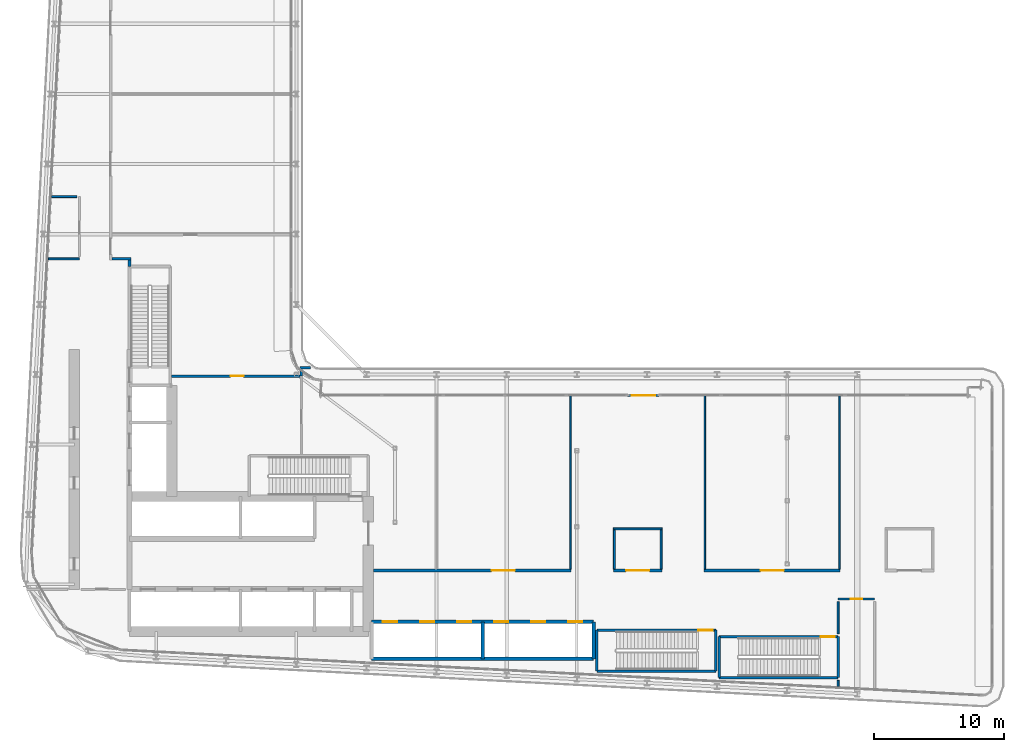
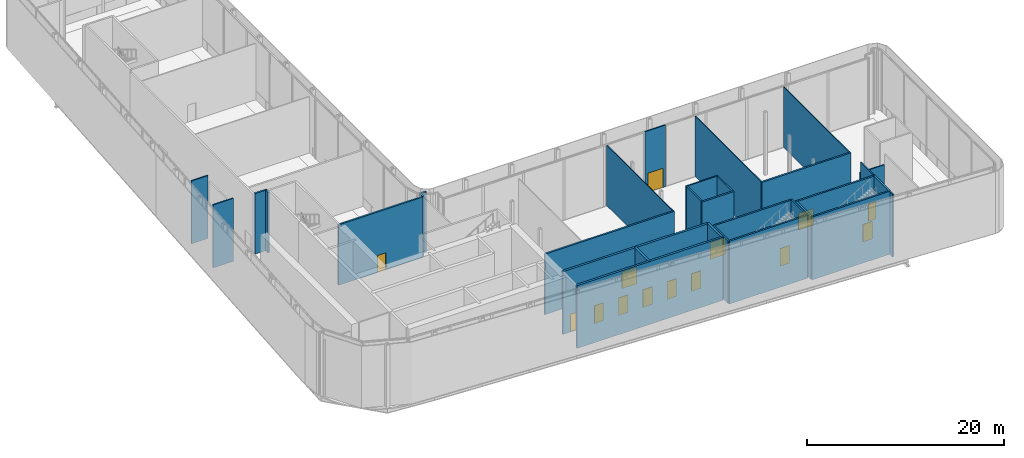
# One storey, part 27 of 37: 32 walls, 14 doors, 14 openings.
"""IFC4 building model written with IfcOpenShell, lengths in metres."""

from ifc_helpers import new_model, si_unit, direction, frame, frame_2d, origin, place, context, subcontext, project, spatial, rectangle, extrude, source, transform, mapped, material, layer, layer_set, type_object, element, fill, save


model = new_model("IFC4")

# Units and contexts
model_context = context("Model", 3, precision=1e-05, world=origin(), true_north=direction((0.0, 1.0)))
body_context = subcontext(model_context, "Body", "Model", "MODEL_VIEW")
ifc_project = project(units=[si_unit("LENGTHUNIT", "METRE"), si_unit("AREAUNIT", "SQUARE_METRE"), si_unit("VOLUMEUNIT", "CUBIC_METRE"), si_unit("PLANEANGLEUNIT", "RADIAN"), si_unit("MASSUNIT", "GRAM", prefix="KILO")], contexts=[model_context])

# Site, building, storey
site_placement = place(None, origin())
site = spatial("IfcSite", under=ifc_project, at=site_placement, CompositionType="ELEMENT")
building_placement = place(site_placement, origin())
building = spatial("IfcBuilding", under=site, at=building_placement, Name="Kheshtan School and Residences Tower", CompositionType="ELEMENT")
storey_placement = place(building_placement, frame((0.0, 0.0, 144.800048828125)))
storey = spatial("IfcBuildingStorey", under=building, at=storey_placement, Name="L34", CompositionType="ELEMENT", Elevation=144.800048828125)

# Walls
ifc_material_1 = material(Name="Gypsum board on steel studs with fire boards", Category="steel")
ifc_layer_1 = layer(ifc_material_1, 0.199951171875)
ifc_layer_set_1 = layer_set([ifc_layer_1], Name="Corridor wall 200")
wall_type_1 = type_object("IfcWallType", Name="Corridor wall 200", PredefinedType="PARTITIONING", material=ifc_layer_set_1)
wall_1_placement = place(storey_placement, frame((33.39990234375, 54.5, 0.0), z_axis=(0.0, 0.0, 1.0), x_axis=(1.0, 0.0, 0.0)))
element("IfcWall", 1, at=wall_1_placement, inside=storey, type_object=wall_type_1, Name="Partition L34-006", PredefinedType="PARTITIONING", context=body_context, shape_type="SweptSolid", body=[
    extrude(rectangle(XDim=1.4501953125, YDim=0.199951171875, at=frame_2d((0.72509765625, 0.0))), origin(), (0.0, 0.0, 1.0), 7.5),
])
wall_2_placement = place(storey_placement, frame((34.75, 53.909912109375, 0.0), z_axis=(0.0, 0.0, 1.0), x_axis=(0.0, 1.0, 0.0)))
element("IfcWall", 2, at=wall_2_placement, inside=storey, type_object=wall_type_1, Name="Partition L34-012", PredefinedType="PARTITIONING", context=body_context, shape_type="SweptSolid", body=[
    extrude(rectangle(XDim=0.489990234375, YDim=0.199951171875, at=frame_2d((0.2451171875, 0.0))), origin(), (0.0, 0.0, 1.0), 7.5),
])

# Wall, opening, door
wall_3_placement = place(storey_placement, frame((37.9990234375, 45.472900390625, 0.0), z_axis=(0.0, 0.0, 1.0), x_axis=(1.0, 0.0, 0.0)))
wall_3 = element("IfcWall", 3, at=wall_3_placement, inside=storey, type_object=wall_type_1, Name="Partition L34-013", PredefinedType="PARTITIONING", context=body_context, shape_type="SweptSolid", body=[
    extrude(rectangle(XDim=9.890869140625, YDim=0.199951171875, at=frame_2d((4.9453125, 0.0))), origin(), (0.0, 0.0, 1.0), 7.5),
])
opening_1_placement = place(wall_3_placement, frame((4.551025390625, 0.0, 0.0)))
opening_1 = element("IfcOpeningElement", 4, at=opening_1_placement, cuts=wall_3, Name="Opening D34-008", PredefinedType="OPENING", context=body_context, shape_type="SweptSolid", body=[
    extrude(rectangle(XDim=1.0, YDim=2.10009765625, at=frame_2d((0.5, 1.050048828125))), frame((0.0, 0.10986328125, 0.0), z_axis=(0.0, -1.0, 0.0), x_axis=(1.0, 0.0, 0.0)), (0.0, 0.0, 1.0), 0.219970703125),
])
ifc_material_2 = material(Name="Steel-framed fire-resisting door leaf", Category="steel")
door_type_1 = type_object("IfcDoorType", Name="Fire door FD60 1000 x 2100", OperationType="SINGLE_SWING_LEFT", PredefinedType="DOOR", material=ifc_material_2)
shared_shape_1 = source(origin(), body_context, "Body", "SweptSolid", [
    extrude(rectangle(XDim=1.0, YDim=2.10009765625, at=frame_2d((0.5, 1.050048828125))), frame((0.0, 0.02490234375, 0.0), z_axis=(0.0, -1.0, 0.0), x_axis=(1.0, 0.0, 0.0)), (0.0, 0.0, 1.0), 0.050048828125),
])
door_1_placement = place(opening_1_placement, origin())
door_1 = element("IfcDoor", 5, at=door_1_placement, inside=storey, type_object=door_type_1, Name="Door D34-008", OperationType="SINGLE_SWING_RIGHT", OverallHeight=2.10009765625, OverallWidth=1.0, PredefinedType="DOOR", context=body_context, shape_type="MappedRepresentation", body=[
    mapped(shared_shape_1, transform((0.0, 0.0, 0.0), x_axis=(1.0, 0.0, 0.0), y_axis=(0.0, 1.0, 0.0), z_axis=(0.0, 0.0, 1.0), scale=1.0)),
])
fill(opening_1, door_1)

# Walls
wall_4_placement = place(storey_placement, frame((47.889892578125, 46.10009765625, 0.0), z_axis=(0.0, 0.0, 1.0), x_axis=(1.0, 0.0, 0.0)))
element("IfcWall", 6, at=wall_4_placement, inside=storey, type_object=wall_type_1, Name="Partition L34-014", PredefinedType="PARTITIONING", context=body_context, shape_type="SweptSolid", body=[
    extrude(rectangle(XDim=0.794189453125, YDim=0.199951171875, at=frame_2d((0.39697265625, 0.0))), origin(), (0.0, 0.0, 1.0), 7.5),
])
wall_5_placement = place(storey_placement, frame((47.989990234375, 45.472900390625, 0.0), z_axis=(0.0, 0.0, 1.0), x_axis=(0.0, 1.0, 0.0)))
element("IfcWall", 7, at=wall_5_placement, inside=storey, type_object=wall_type_1, Name="Partition L34-016", PredefinedType="PARTITIONING", context=body_context, shape_type="SweptSolid", body=[
    extrude(rectangle(XDim=0.527099609375, YDim=0.199951171875, at=frame_2d((0.263671875, 0.0))), origin(), (0.0, 0.0, 1.0), 7.5),
])

# Wall, opening, door
wall_6_placement = place(storey_placement, frame((53.549072265625, 30.5, 0.0), z_axis=(0.0, 0.0, 1.0), x_axis=(1.0, 0.0, 0.0)))
wall_6 = element("IfcWall", 8, at=wall_6_placement, inside=storey, type_object=wall_type_1, Name="Partition L34-017", PredefinedType="PARTITIONING", context=body_context, shape_type="SweptSolid", body=[
    extrude(rectangle(XDim=15.20703125, YDim=0.199951171875, at=frame_2d((7.603515625, 0.0))), origin(), (0.0, 0.0, 1.0), 7.5),
])
opening_2_placement = place(wall_6_placement, frame((9.0830078125, 0.0, 0.0)))
opening_2 = element("IfcOpeningElement", 9, at=opening_2_placement, cuts=wall_6, Name="Opening D34-002", PredefinedType="OPENING", context=body_context, shape_type="SweptSolid", body=[
    extrude(rectangle(XDim=1.800048828125, YDim=2.10009765625, at=frame_2d((0.89990234375, 1.050048828125))), frame((0.0, 0.10986328125, 0.0), z_axis=(0.0, -1.0, 0.0), x_axis=(1.0, 0.0, 0.0)), (0.0, 0.0, 1.0), 0.219970703125),
])
door_type_2 = type_object("IfcDoorType", Name="Fire double door FD60 1800 x 2100", OperationType="DOUBLE_DOOR_SINGLE_SWING", PredefinedType="DOOR", material=ifc_material_2)
shared_shape_2 = source(origin(), body_context, "Body", "SweptSolid", [
    extrude(rectangle(XDim=1.800048828125, YDim=2.10009765625, at=frame_2d((0.89990234375, 1.050048828125))), frame((0.0, 0.02490234375, 0.0), z_axis=(0.0, -1.0, 0.0), x_axis=(1.0, 0.0, 0.0)), (0.0, 0.0, 1.0), 0.050048828125),
])
door_2_placement = place(opening_2_placement, origin())
door_2 = element("IfcDoor", 10, at=door_2_placement, inside=storey, type_object=door_type_2, Name="Door D34-002", OperationType="DOUBLE_DOOR_SINGLE_SWING", OverallHeight=2.10009765625, OverallWidth=1.800048828125, PredefinedType="DOOR", context=body_context, shape_type="MappedRepresentation", body=[
    mapped(shared_shape_2, transform((0.0, 0.0, 0.0), x_axis=(1.0, 0.0, 0.0), y_axis=(0.0, 1.0, 0.0), z_axis=(0.0, 0.0, 1.0), scale=1.0)),
])
fill(opening_2, door_2)

wall_7_placement = place(storey_placement, frame((72.014892578125, 30.5, 0.0), z_axis=(0.0, 0.0, 1.0), x_axis=(1.0, 0.0, 0.0)))
wall_7 = element("IfcWall", 11, at=wall_7_placement, inside=storey, type_object=wall_type_1, Name="Partition L34-020", PredefinedType="PARTITIONING", context=body_context, shape_type="SweptSolid", body=[
    extrude(rectangle(XDim=3.75, YDim=0.199951171875, at=frame_2d((1.875, 0.0))), origin(), (0.0, 0.0, 1.0), 7.5),
])
opening_3_placement = place(wall_7_placement, frame((0.97509765625, 0.0, 0.0)))
opening_3 = element("IfcOpeningElement", 12, at=opening_3_placement, cuts=wall_7, Name="Opening D34-003", PredefinedType="OPENING", context=body_context, shape_type="SweptSolid", body=[
    extrude(rectangle(XDim=1.800048828125, YDim=2.10009765625, at=frame_2d((0.89990234375, 1.050048828125))), frame((0.0, 0.10986328125, 0.0), z_axis=(0.0, -1.0, 0.0), x_axis=(1.0, 0.0, 0.0)), (0.0, 0.0, 1.0), 0.219970703125),
])
door_3_placement = place(opening_3_placement, origin())
door_3 = element("IfcDoor", 13, at=door_3_placement, inside=storey, type_object=door_type_2, Name="Door D34-003", OperationType="DOUBLE_DOOR_SINGLE_SWING", OverallHeight=2.10009765625, OverallWidth=1.800048828125, PredefinedType="DOOR", context=body_context, shape_type="MappedRepresentation", body=[
    mapped(shared_shape_2, transform((0.0, 0.0, 0.0), x_axis=(1.0, 0.0, 0.0), y_axis=(0.0, 1.0, 0.0), z_axis=(0.0, 0.0, 1.0), scale=1.0)),
])
fill(opening_3, door_3)

wall_8_placement = place(storey_placement, frame((79.013916015625, 30.5, 0.0), z_axis=(0.0, 0.0, 1.0), x_axis=(1.0, 0.0, 0.0)))
wall_8 = element("IfcWall", 14, at=wall_8_placement, inside=storey, type_object=wall_type_1, Name="Partition L34-024", PredefinedType="PARTITIONING", context=body_context, shape_type="SweptSolid", body=[
    extrude(rectangle(XDim=10.4580078125, YDim=0.199951171875, at=frame_2d((5.22900390625, 0.0))), origin(), (0.0, 0.0, 1.0), 7.5),
])
opening_4_placement = place(wall_8_placement, frame((4.333984375, 0.0, 0.0)))
opening_4 = element("IfcOpeningElement", 15, at=opening_4_placement, cuts=wall_8, Name="Opening D34-004", PredefinedType="OPENING", context=body_context, shape_type="SweptSolid", body=[
    extrude(rectangle(XDim=1.800048828125, YDim=2.10009765625, at=frame_2d((0.89990234375, 1.050048828125))), frame((0.0, 0.10986328125, 0.0), z_axis=(0.0, -1.0, 0.0), x_axis=(1.0, 0.0, 0.0)), (0.0, 0.0, 1.0), 0.219970703125),
])
door_4_placement = place(opening_4_placement, origin())
door_4 = element("IfcDoor", 16, at=door_4_placement, inside=storey, type_object=door_type_2, Name="Door D34-004", OperationType="DOUBLE_DOOR_SINGLE_SWING", OverallHeight=2.10009765625, OverallWidth=1.800048828125, PredefinedType="DOOR", context=body_context, shape_type="MappedRepresentation", body=[
    mapped(shared_shape_2, transform((0.0, 0.0, 0.0), x_axis=(1.0, 0.0, 0.0), y_axis=(0.0, 1.0, 0.0), z_axis=(0.0, 0.0, 1.0), scale=1.0)),
])
fill(opening_4, door_4)

ifc_material_3 = material(Name="Aluminium frame wall with insulated infill", Category="aluminium")
ifc_layer_2 = layer(ifc_material_3, 0.14990234375)
ifc_layer_set_2 = layer_set([ifc_layer_2], Name="Glazing frame wall 150")
wall_type_2 = type_object("IfcWallType", Name="Glazing frame wall 150", PredefinedType="SOLIDWALL", material=ifc_layer_set_2)
wall_9_placement = place(storey_placement, frame((73.1298828125, 43.97509765625, 0.0), z_axis=(0.0, 0.0, 1.0), x_axis=(1.0, 0.0, 0.0)))
wall_9 = element("IfcWall", 17, at=wall_9_placement, inside=storey, type_object=wall_type_2, Name="Terrace door wall L34 5", PredefinedType="SOLIDWALL", context=body_context, shape_type="SweptSolid", body=[
    extrude(rectangle(XDim=2.400146484375, YDim=0.14990234375, at=frame_2d((1.2001953125, 0.0))), origin(), (0.0, 0.0, 1.0), 7.64990234375),
])
opening_5_placement = place(wall_9_placement, frame((0.300048828125, 0.0, 0.0)))
opening_5 = element("IfcOpeningElement", 18, at=opening_5_placement, cuts=wall_9, Name="Opening BD", PredefinedType="OPENING", context=body_context, shape_type="SweptSolid", body=[
    extrude(rectangle(XDim=1.800048828125, YDim=2.39990234375, at=frame_2d((0.89990234375, 1.199951171875))), frame((0.0, 0.0849609375, 0.0), z_axis=(0.0, -1.0, 0.0), x_axis=(1.0, 0.0, 0.0)), (0.0, 0.0, 1.0), 0.169921875),
])
ifc_material_4 = material(Name="Clear low-e glass in thermally broken aluminium frame", Category="aluminium")
door_type_3 = type_object("IfcDoorType", Name="Balcony sliding door", OperationType="SLIDING_TO_LEFT", PredefinedType="DOOR", material=ifc_material_4)
shared_shape_3 = source(origin(), body_context, "Body", "SweptSolid", [
    extrude(rectangle(XDim=1.800048828125, YDim=2.39990234375, at=frame_2d((0.89990234375, 1.199951171875))), frame((0.0, 0.02490234375, 0.0), z_axis=(0.0, -1.0, 0.0), x_axis=(1.0, 0.0, 0.0)), (0.0, 0.0, 1.0), 0.050048828125),
])
door_5_placement = place(opening_5_placement, origin())
door_5 = element("IfcDoor", 19, at=door_5_placement, inside=storey, type_object=door_type_3, Name="Terrace door L34 5", OperationType="SLIDING_TO_LEFT", OverallHeight=2.39990234375, OverallWidth=1.800048828125, PredefinedType="DOOR", context=body_context, shape_type="MappedRepresentation", body=[
    mapped(shared_shape_3, transform((0.0, 0.0, 0.0), x_axis=(1.0, 0.0, 0.0), y_axis=(0.0, 1.0, 0.0), z_axis=(0.0, 0.0, 1.0), scale=1.0)),
])
fill(opening_5, door_5)

# Walls
ifc_material_5 = material(Name="Gypsum board on steel studs", Category="steel")
ifc_layer_3 = layer(ifc_material_5, 0.10009765625)
ifc_layer_set_3 = layer_set([ifc_layer_3], Name="Gypsum partition 100")
wall_type_3 = type_object("IfcWallType", Name="Gypsum partition 100", PredefinedType="PARTITIONING", material=ifc_layer_set_3)
for number, where, z_axis, x_axis, name in (
    (20, (68.7060546875, 30.60009765625, 0.0), (0.0, 0.0, 1.0), (0.0, 1.0, 0.0), "Partition L34-019"),
    (21, (79.06396484375, 30.60009765625, 0.0), (0.0, 0.0, 1.0), (0.0, 1.0, 0.0), "Partition L34-025"),
    (22, (89.422119140625, 30.60009765625, 0.0), (0.0, 0.0, 1.0), (0.0, 1.0, 0.0), "Partition L34-026"),
):
    element("IfcWall", number, at=place(storey_placement, frame(where, z_axis=z_axis, x_axis=x_axis)), inside=storey, type_object=wall_type_3, Name=name, PredefinedType="PARTITIONING", context=body_context, shape_type="SweptSolid", body=[
        extrude(rectangle(XDim=13.369873046875, YDim=0.10009765625, at=frame_2d((6.68505859375, 0.0))), origin(), (0.0, 0.0, 1.0), 7.5),
    ])
ifc_material_6 = material(Name="Fire-board shaft wall system")
ifc_layer_4 = layer(ifc_material_6, 0.14990234375)
ifc_layer_set_4 = layer_set([ifc_layer_4], Name="Service room wall 150")
wall_type_4 = type_object("IfcWallType", Name="Service room wall 150", PredefinedType="PARTITIONING", material=ifc_layer_set_4)
wall_10_placement = place(storey_placement, frame((28.508056640625, 54.5, 0.0), z_axis=(0.0, 0.0, 1.0), x_axis=(1.0, 0.0, 0.0)))
element("IfcWall", 23, at=wall_10_placement, inside=storey, type_object=wall_type_4, Name="Service room wall", PredefinedType="PARTITIONING", context=body_context, shape_type="SweptSolid", body=[
    extrude(rectangle(XDim=2.391845703125, YDim=0.14990234375, at=frame_2d((1.19580078125, 0.0))), origin(), (0.0, 0.0, 1.0), 7.800048828125),
])
wall_11_placement = place(storey_placement, frame((28.760009765625, 59.2900390625, 0.0), z_axis=(0.0, 0.0, 1.0), x_axis=(1.0, 0.0, 0.0)))
element("IfcWall", 24, at=wall_11_placement, inside=storey, type_object=wall_type_4, Name="Service room wall", PredefinedType="PARTITIONING", context=body_context, shape_type="SweptSolid", body=[
    extrude(rectangle(XDim=1.945068359375, YDim=0.14990234375, at=frame_2d((0.97265625, 0.0))), origin(), (0.0, 0.0, 1.0), 7.800048828125),
])

# Wall, opening, door
wall_12_placement = place(storey_placement, frame((89.320068359375, 28.300048828125, 0.0), z_axis=(0.0, 0.0, 1.0), x_axis=(1.0, 0.0, 0.0)))
wall_12 = element("IfcWall", 25, at=wall_12_placement, inside=storey, type_object=wall_type_4, Name="Service room wall", PredefinedType="PARTITIONING", context=body_context, shape_type="SweptSolid", body=[
    extrude(rectangle(XDim=2.822998046875, YDim=0.14990234375, at=frame_2d((1.41162109375, 0.0))), origin(), (0.0, 0.0, 1.0), 6.39990234375),
])
opening_6_placement = place(wall_12_placement, frame((0.9619140625, 0.0, 0.0)))
opening_6 = element("IfcOpeningElement", 26, at=opening_6_placement, cuts=wall_12, Name="Opening SR90", PredefinedType="OPENING", context=body_context, shape_type="SweptSolid", body=[
    extrude(rectangle(XDim=0.89990234375, YDim=2.199951171875, at=frame_2d((0.449951171875, 1.10009765625))), frame((0.0, 0.0849609375, 0.0), z_axis=(0.0, -1.0, 0.0), x_axis=(1.0, 0.0, 0.0)), (0.0, 0.0, 1.0), 0.169921875),
])
ifc_material_7 = material(Name="Steel door leaf, galvanised", Category="steel")
door_type_4 = type_object("IfcDoorType", Name="Service room door 900 steel 90 min", OperationType="SINGLE_SWING_LEFT", PredefinedType="DOOR", material=ifc_material_7)
shared_shape_4 = source(origin(), body_context, "Body", "SweptSolid", [
    extrude(rectangle(XDim=0.89990234375, YDim=2.199951171875, at=frame_2d((0.449951171875, 1.10009765625))), frame((0.0, 0.02490234375, 0.0), z_axis=(0.0, -1.0, 0.0), x_axis=(1.0, 0.0, 0.0)), (0.0, 0.0, 1.0), 0.050048828125),
])
door_6_placement = place(opening_6_placement, origin())
door_6 = element("IfcDoor", 27, at=door_6_placement, inside=storey, type_object=door_type_4, Name="Service room door", OperationType="SINGLE_SWING_LEFT", OverallHeight=2.199951171875, OverallWidth=0.89990234375, PredefinedType="DOOR", context=body_context, shape_type="MappedRepresentation", body=[
    mapped(shared_shape_4, transform((0.0, 0.0, 0.0), x_axis=(1.0, 0.0, 0.0), y_axis=(0.0, 1.0, 0.0), z_axis=(0.0, 0.0, 1.0), scale=1.0)),
])
fill(opening_6, door_6)

# Walls
wall_13_placement = place(storey_placement, frame((89.320068359375, 21.571044921875, 0.0), z_axis=(0.0, 0.0, 1.0), x_axis=(0.0, 1.0, 0.0)))
element("IfcWall", 28, at=wall_13_placement, inside=storey, type_object=wall_type_4, Name="Service room wall", PredefinedType="PARTITIONING", context=body_context, shape_type="SweptSolid", body=[
    extrude(rectangle(XDim=0.458984375, YDim=0.14990234375, at=frame_2d((0.2294921875, 0.0))), origin(), (0.0, 0.0, 1.0), 7.800048828125),
])
wall_14_placement = place(storey_placement, frame((89.320068359375, 25.6201171875, 0.0), z_axis=(0.0, 0.0, 1.0), x_axis=(0.0, 1.0, 0.0)))
element("IfcWall", 29, at=wall_14_placement, inside=storey, type_object=wall_type_4, Name="Service room wall", PredefinedType="PARTITIONING", context=body_context, shape_type="SweptSolid", body=[
    extrude(rectangle(XDim=2.48486328125, YDim=0.14990234375, at=frame_2d((1.242431640625, 0.0))), origin(), (0.0, 0.0, 1.0), 7.800048828125),
])
ifc_layer_5 = layer(ifc_material_6, 0.25)
ifc_layer_set_5 = layer_set([ifc_layer_5], Name="Shaft lining wall 250")
wall_type_5 = type_object("IfcWallType", Name="Shaft lining wall 250", PredefinedType="PARTITIONING", material=ifc_layer_set_5)
for number, where, z_axis, x_axis, name in (
    (30, (61.949951171875, 23.699951171875, 0.0), (0.0, 0.0, 1.0), (0.0, 1.0, 0.0), "Shaft lining wall"),
    (31, (70.5, 23.699951171875, 0.0), (0.0, 0.0, 1.0), (0.0, 1.0, 0.0), "Shaft lining wall"),
):
    element("IfcWall", number, at=place(storey_placement, frame(where, z_axis=z_axis, x_axis=x_axis)), inside=storey, type_object=wall_type_5, Name=name, PredefinedType="PARTITIONING", context=body_context, shape_type="SweptSolid", body=[
        extrude(rectangle(XDim=2.85009765625, YDim=0.25, at=frame_2d((1.425048828125, 0.0))), origin(), (0.0, 0.0, 1.0), 7.800048828125),
    ])
wall_15_placement = place(storey_placement, frame((53.39990234375, 23.699951171875, 0.0), z_axis=(0.0, 0.0, 1.0), x_axis=(1.0, 0.0, 0.0)))
element("IfcWall", 32, at=wall_15_placement, inside=storey, type_object=wall_type_5, Name="Shaft lining wall", PredefinedType="PARTITIONING", context=body_context, shape_type="SweptSolid", body=[
    extrude(rectangle(XDim=17.10009765625, YDim=0.25, at=frame_2d((8.550048828125, 0.0))), origin(), (0.0, 0.0, 1.0), 7.800048828125),
])

# Wall, openings, doors
wall_16_placement = place(storey_placement, frame((53.39990234375, 26.550048828125, 0.0), z_axis=(0.0, 0.0, 1.0), x_axis=(1.0, 0.0, 0.0)))
wall_16 = element("IfcWall", 33, at=wall_16_placement, inside=storey, type_object=wall_type_5, Name="Shaft lining wall", PredefinedType="PARTITIONING", context=body_context, shape_type="SweptSolid", body=[
    extrude(rectangle(XDim=17.10009765625, YDim=0.25, at=frame_2d((8.550048828125, 0.0))), origin(), (0.0, 0.0, 1.0), 7.800048828125),
])
opening_7_placement = place(wall_16_placement, frame((0.875, 0.0, 0.0)))
opening_7 = element("IfcOpeningElement", 34, at=opening_7_placement, cuts=wall_16, Name="Opening LD", PredefinedType="OPENING", context=body_context, shape_type="SweptSolid", body=[
    extrude(rectangle(XDim=1.10009765625, YDim=2.199951171875, at=frame_2d((0.550048828125, 1.10009765625))), frame((0.0, 0.135009765625, 0.0), z_axis=(0.0, -1.0, 0.0), x_axis=(1.0, 0.0, 0.0)), (0.0, 0.0, 1.0), 0.27001953125),
])
opening_8_placement = place(wall_16_placement, frame((3.72509765625, 0.0, 0.0)))
opening_8 = element("IfcOpeningElement", 35, at=opening_8_placement, cuts=wall_16, Name="Opening LD", PredefinedType="OPENING", context=body_context, shape_type="SweptSolid", body=[
    extrude(rectangle(XDim=1.10009765625, YDim=2.199951171875, at=frame_2d((0.550048828125, 1.10009765625))), frame((0.0, 0.135009765625, 0.0), z_axis=(0.0, -1.0, 0.0), x_axis=(1.0, 0.0, 0.0)), (0.0, 0.0, 1.0), 0.27001953125),
])
opening_9_placement = place(wall_16_placement, frame((6.574951171875, 0.0, 0.0)))
opening_9 = element("IfcOpeningElement", 36, at=opening_9_placement, cuts=wall_16, Name="Opening LD", PredefinedType="OPENING", context=body_context, shape_type="SweptSolid", body=[
    extrude(rectangle(XDim=1.10009765625, YDim=2.199951171875, at=frame_2d((0.550048828125, 1.10009765625))), frame((0.0, 0.135009765625, 0.0), z_axis=(0.0, -1.0, 0.0), x_axis=(1.0, 0.0, 0.0)), (0.0, 0.0, 1.0), 0.27001953125),
])
opening_10_placement = place(wall_16_placement, frame((9.425048828125, 0.0, 0.0)))
opening_10 = element("IfcOpeningElement", 37, at=opening_10_placement, cuts=wall_16, Name="Opening LD", PredefinedType="OPENING", context=body_context, shape_type="SweptSolid", body=[
    extrude(rectangle(XDim=1.10009765625, YDim=2.199951171875, at=frame_2d((0.550048828125, 1.10009765625))), frame((0.0, 0.135009765625, 0.0), z_axis=(0.0, -1.0, 0.0), x_axis=(1.0, 0.0, 0.0)), (0.0, 0.0, 1.0), 0.27001953125),
])
opening_11_placement = place(wall_16_placement, frame((12.27490234375, 0.0, 0.0)))
opening_11 = element("IfcOpeningElement", 38, at=opening_11_placement, cuts=wall_16, Name="Opening LD", PredefinedType="OPENING", context=body_context, shape_type="SweptSolid", body=[
    extrude(rectangle(XDim=1.10009765625, YDim=2.199951171875, at=frame_2d((0.550048828125, 1.10009765625))), frame((0.0, 0.135009765625, 0.0), z_axis=(0.0, -1.0, 0.0), x_axis=(1.0, 0.0, 0.0)), (0.0, 0.0, 1.0), 0.27001953125),
])
opening_12_placement = place(wall_16_placement, frame((15.125, 0.0, 0.0)))
opening_12 = element("IfcOpeningElement", 39, at=opening_12_placement, cuts=wall_16, Name="Opening LD", PredefinedType="OPENING", context=body_context, shape_type="SweptSolid", body=[
    extrude(rectangle(XDim=1.10009765625, YDim=2.199951171875, at=frame_2d((0.550048828125, 1.10009765625))), frame((0.0, 0.135009765625, 0.0), z_axis=(0.0, -1.0, 0.0), x_axis=(1.0, 0.0, 0.0)), (0.0, 0.0, 1.0), 0.27001953125),
])
ifc_material_8 = material(Name="Stainless steel door leaves", Category="steel")
door_type_5 = type_object("IfcDoorType", Name="Lift landing door 1100", OperationType="SLIDING_TO_LEFT", PredefinedType="DOOR", material=ifc_material_8)
shared_shape_5 = source(origin(), body_context, "Body", "SweptSolid", [
    extrude(rectangle(XDim=1.10009765625, YDim=2.199951171875, at=frame_2d((0.550048828125, 1.10009765625))), frame((0.0, 0.02490234375, 0.0), z_axis=(0.0, -1.0, 0.0), x_axis=(1.0, 0.0, 0.0)), (0.0, 0.0, 1.0), 0.050048828125),
])
door_7_placement = place(opening_7_placement, origin())
door_7 = element("IfcDoor", 40, at=door_7_placement, inside=storey, type_object=door_type_5, Name="Lift P1 landing door", OperationType="SLIDING_TO_LEFT", OverallHeight=2.199951171875, OverallWidth=1.10009765625, PredefinedType="DOOR", context=body_context, shape_type="MappedRepresentation", body=[
    mapped(shared_shape_5, transform((0.0, 0.0, 0.0), x_axis=(1.0, 0.0, 0.0), y_axis=(0.0, 1.0, 0.0), z_axis=(0.0, 0.0, 1.0), scale=1.0)),
])
fill(opening_7, door_7)
door_8_placement = place(opening_8_placement, origin())
door_8 = element("IfcDoor", 41, at=door_8_placement, inside=storey, type_object=door_type_5, Name="Lift P2 landing door", OperationType="SLIDING_TO_LEFT", OverallHeight=2.199951171875, OverallWidth=1.10009765625, PredefinedType="DOOR", context=body_context, shape_type="MappedRepresentation", body=[
    mapped(shared_shape_5, transform((0.0, 0.0, 0.0), x_axis=(1.0, 0.0, 0.0), y_axis=(0.0, 1.0, 0.0), z_axis=(0.0, 0.0, 1.0), scale=1.0)),
])
fill(opening_8, door_8)
door_9_placement = place(opening_9_placement, origin())
door_9 = element("IfcDoor", 42, at=door_9_placement, inside=storey, type_object=door_type_5, Name="Lift P3 landing door", OperationType="SLIDING_TO_LEFT", OverallHeight=2.199951171875, OverallWidth=1.10009765625, PredefinedType="DOOR", context=body_context, shape_type="MappedRepresentation", body=[
    mapped(shared_shape_5, transform((0.0, 0.0, 0.0), x_axis=(1.0, 0.0, 0.0), y_axis=(0.0, 1.0, 0.0), z_axis=(0.0, 0.0, 1.0), scale=1.0)),
])
fill(opening_9, door_9)
door_10_placement = place(opening_10_placement, origin())
door_10 = element("IfcDoor", 43, at=door_10_placement, inside=storey, type_object=door_type_5, Name="Lift P4 landing door", OperationType="SLIDING_TO_LEFT", OverallHeight=2.199951171875, OverallWidth=1.10009765625, PredefinedType="DOOR", context=body_context, shape_type="MappedRepresentation", body=[
    mapped(shared_shape_5, transform((0.0, 0.0, 0.0), x_axis=(1.0, 0.0, 0.0), y_axis=(0.0, 1.0, 0.0), z_axis=(0.0, 0.0, 1.0), scale=1.0)),
])
fill(opening_10, door_10)
door_11_placement = place(opening_11_placement, origin())
door_11 = element("IfcDoor", 44, at=door_11_placement, inside=storey, type_object=door_type_5, Name="Lift P5 landing door", OperationType="SLIDING_TO_LEFT", OverallHeight=2.199951171875, OverallWidth=1.10009765625, PredefinedType="DOOR", context=body_context, shape_type="MappedRepresentation", body=[
    mapped(shared_shape_5, transform((0.0, 0.0, 0.0), x_axis=(1.0, 0.0, 0.0), y_axis=(0.0, 1.0, 0.0), z_axis=(0.0, 0.0, 1.0), scale=1.0)),
])
fill(opening_11, door_11)
door_12_placement = place(opening_12_placement, origin())
door_12 = element("IfcDoor", 45, at=door_12_placement, inside=storey, type_object=door_type_5, Name="Lift P6 landing door", OperationType="SLIDING_TO_LEFT", OverallHeight=2.199951171875, OverallWidth=1.10009765625, PredefinedType="DOOR", context=body_context, shape_type="MappedRepresentation", body=[
    mapped(shared_shape_5, transform((0.0, 0.0, 0.0), x_axis=(1.0, 0.0, 0.0), y_axis=(0.0, 1.0, 0.0), z_axis=(0.0, 0.0, 1.0), scale=1.0)),
])
fill(opening_12, door_12)

# Wall
ifc_material_9 = material(Name="Concrete C40/50", Category="concrete")
ifc_layer_6 = layer(ifc_material_9, 0.199951171875)
ifc_layer_set_6 = layer_set([ifc_layer_6], Name="Stair enclosure wall 200 Concrete C40/50")
wall_type_6 = type_object("IfcWallType", Name="Stair enclosure wall 200 Concrete C40/50", PredefinedType="SHEAR", material=ifc_layer_set_6)
wall_17_placement = place(storey_placement, frame((80.159912109375, 22.25, 0.0), z_axis=(0.0, 0.0, 1.0), x_axis=(1.0, 0.0, 0.0)))
element("IfcWall", 46, at=wall_17_placement, inside=storey, type_object=wall_type_6, Name="Stair enclosure wall ST4", PredefinedType="SHEAR", context=body_context, shape_type="SweptSolid", body=[
    extrude(rectangle(XDim=9.16015625, YDim=0.199951171875, at=frame_2d((4.580078125, 0.0))), origin(), (0.0, 0.0, 1.0), 7.800048828125),
])

# Wall, opening, door
wall_18_placement = place(storey_placement, frame((80.159912109375, 25.39990234375, 0.0), z_axis=(0.0, 0.0, 1.0), x_axis=(1.0, 0.0, 0.0)))
wall_18 = element("IfcWall", 47, at=wall_18_placement, inside=storey, type_object=wall_type_6, Name="Stair enclosure wall ST4", PredefinedType="SHEAR", context=body_context, shape_type="SweptSolid", body=[
    extrude(rectangle(XDim=9.16015625, YDim=0.199951171875, at=frame_2d((4.580078125, 0.0))), origin(), (0.0, 0.0, 1.0), 7.800048828125),
])
opening_13_placement = place(wall_18_placement, frame((7.81005859375, 0.0, 0.0)))
opening_13 = element("IfcOpeningElement", 48, at=opening_13_placement, cuts=wall_18, Name="Opening ST4D", PredefinedType="OPENING", context=body_context, shape_type="SweptSolid", body=[
    extrude(rectangle(XDim=1.10009765625, YDim=2.199951171875, at=frame_2d((0.550048828125, 1.10009765625))), frame((0.0, 0.10986328125, 0.0), z_axis=(0.0, -1.0, 0.0), x_axis=(1.0, 0.0, 0.0)), (0.0, 0.0, 1.0), 0.219970703125),
])
door_type_6 = type_object("IfcDoorType", Name="Stair door 1100 steel 90 min", OperationType="SINGLE_SWING_LEFT", PredefinedType="DOOR", material=ifc_material_7)
shared_shape_6 = source(origin(), body_context, "Body", "SweptSolid", [
    extrude(rectangle(XDim=1.10009765625, YDim=2.199951171875, at=frame_2d((0.550048828125, 1.10009765625))), frame((0.0, 0.02490234375, 0.0), z_axis=(0.0, -1.0, 0.0), x_axis=(1.0, 0.0, 0.0)), (0.0, 0.0, 1.0), 0.050048828125),
])
door_13_placement = place(opening_13_placement, origin())
door_13 = element("IfcDoor", 49, at=door_13_placement, inside=storey, type_object=door_type_6, Name="Stair ST4 door", OperationType="SINGLE_SWING_LEFT", OverallHeight=2.199951171875, OverallWidth=1.10009765625, PredefinedType="DOOR", context=body_context, shape_type="MappedRepresentation", body=[
    mapped(shared_shape_6, transform((0.0, 0.0, 0.0), x_axis=(1.0, 0.0, 0.0), y_axis=(0.0, 1.0, 0.0), z_axis=(0.0, 0.0, 1.0), scale=1.0)),
])
fill(opening_13, door_13)

# Walls
for number, where, z_axis, x_axis, name in (
    (50, (80.159912109375, 22.25, 0.0), (0.0, 0.0, 1.0), (0.0, 1.0, 0.0), "Stair enclosure wall ST4"),
    (51, (89.320068359375, 22.25, 0.0), (0.0, 0.0, 1.0), (0.0, 1.0, 0.0), "Stair enclosure wall ST4"),
):
    element("IfcWall", number, at=place(storey_placement, frame(where, z_axis=z_axis, x_axis=x_axis)), inside=storey, type_object=wall_type_6, Name=name, PredefinedType="SHEAR", context=body_context, shape_type="SweptSolid", body=[
        extrude(rectangle(XDim=3.14990234375, YDim=0.199951171875, at=frame_2d((1.574951171875, 0.0))), origin(), (0.0, 0.0, 1.0), 7.800048828125),
    ])
wall_19_placement = place(storey_placement, frame((70.75, 22.75, 0.0), z_axis=(0.0, 0.0, 1.0), x_axis=(1.0, 0.0, 0.0)))
element("IfcWall", 52, at=wall_19_placement, inside=storey, type_object=wall_type_6, Name="Stair enclosure wall ST5", PredefinedType="SHEAR", context=body_context, shape_type="SweptSolid", body=[
    extrude(rectangle(XDim=9.159912109375, YDim=0.199951171875, at=frame_2d((4.580078125, 0.0))), origin(), (0.0, 0.0, 1.0), 7.800048828125),
])

# Wall, opening, door
wall_20_placement = place(storey_placement, frame((70.75, 25.89990234375, 0.0), z_axis=(0.0, 0.0, 1.0), x_axis=(1.0, 0.0, 0.0)))
wall_20 = element("IfcWall", 53, at=wall_20_placement, inside=storey, type_object=wall_type_6, Name="Stair enclosure wall ST5", PredefinedType="SHEAR", context=body_context, shape_type="SweptSolid", body=[
    extrude(rectangle(XDim=9.159912109375, YDim=0.199951171875, at=frame_2d((4.580078125, 0.0))), origin(), (0.0, 0.0, 1.0), 7.800048828125),
])
opening_14_placement = place(wall_20_placement, frame((7.81005859375, 0.0, 0.0)))
opening_14 = element("IfcOpeningElement", 54, at=opening_14_placement, cuts=wall_20, Name="Opening ST5D", PredefinedType="OPENING", context=body_context, shape_type="SweptSolid", body=[
    extrude(rectangle(XDim=1.10009765625, YDim=2.199951171875, at=frame_2d((0.550048828125, 1.10009765625))), frame((0.0, 0.10986328125, 0.0), z_axis=(0.0, -1.0, 0.0), x_axis=(1.0, 0.0, 0.0)), (0.0, 0.0, 1.0), 0.219970703125),
])
door_14_placement = place(opening_14_placement, origin())
door_14 = element("IfcDoor", 55, at=door_14_placement, inside=storey, type_object=door_type_6, Name="Stair ST5 door", OperationType="SINGLE_SWING_LEFT", OverallHeight=2.199951171875, OverallWidth=1.10009765625, PredefinedType="DOOR", context=body_context, shape_type="MappedRepresentation", body=[
    mapped(shared_shape_6, transform((0.0, 0.0, 0.0), x_axis=(1.0, 0.0, 0.0), y_axis=(0.0, 1.0, 0.0), z_axis=(0.0, 0.0, 1.0), scale=1.0)),
])
fill(opening_14, door_14)

# Walls
for number, where, z_axis, x_axis, name in (
    (56, (70.75, 22.75, 0.0), (0.0, 0.0, 1.0), (0.0, 1.0, 0.0), "Stair enclosure wall ST5"),
    (57, (79.909912109375, 22.75, 0.0), (0.0, 0.0, 1.0), (0.0, 1.0, 0.0), "Stair enclosure wall ST5"),
):
    element("IfcWall", number, at=place(storey_placement, frame(where, z_axis=z_axis, x_axis=x_axis)), inside=storey, type_object=wall_type_6, Name=name, PredefinedType="SHEAR", context=body_context, shape_type="SweptSolid", body=[
        extrude(rectangle(XDim=3.14990234375, YDim=0.199951171875, at=frame_2d((1.574951171875, 0.0))), origin(), (0.0, 0.0, 1.0), 7.800048828125),
    ])
ifc_material_10 = material(Name="Moisture-resistant gypsum board on steel studs", Category="steel")
ifc_layer_7 = layer(ifc_material_10, 0.14990234375)
ifc_layer_set_7 = layer_set([ifc_layer_7], Name="Wet-room partition 150")
wall_type_7 = type_object("IfcWallType", Name="Wet-room partition 150", PredefinedType="PARTITIONING", material=ifc_layer_set_7)
wall_21_placement = place(storey_placement, frame((72.014892578125, 33.699951171875, 0.0), z_axis=(0.0, 0.0, 1.0), x_axis=(1.0, 0.0, 0.0)))
element("IfcWall", 58, at=wall_21_placement, inside=storey, type_object=wall_type_7, Name="Partition L34-021", PredefinedType="PARTITIONING", context=body_context, shape_type="SweptSolid", body=[
    extrude(rectangle(XDim=3.75, YDim=0.14990234375, at=frame_2d((1.875, 0.0))), origin(), (0.0, 0.0, 1.0), 7.5),
])
for number, where, z_axis, x_axis, name in (
    (59, (72.090087890625, 30.60009765625, 0.0), (0.0, 0.0, 1.0), (0.0, 1.0, 0.0), "Partition L34-022"),
    (60, (75.68994140625, 30.60009765625, 0.0), (0.0, 0.0, 1.0), (0.0, 1.0, 0.0), "Partition L34-023"),
):
    element("IfcWall", number, at=place(storey_placement, frame(where, z_axis=z_axis, x_axis=x_axis)), inside=storey, type_object=wall_type_7, Name=name, PredefinedType="PARTITIONING", context=body_context, shape_type="SweptSolid", body=[
        extrude(rectangle(XDim=3.02490234375, YDim=0.14990234375, at=frame_2d((1.512451171875, 0.0))), origin(), (0.0, 0.0, 1.0), 7.5),
    ])

save(model, "model.ifc")
